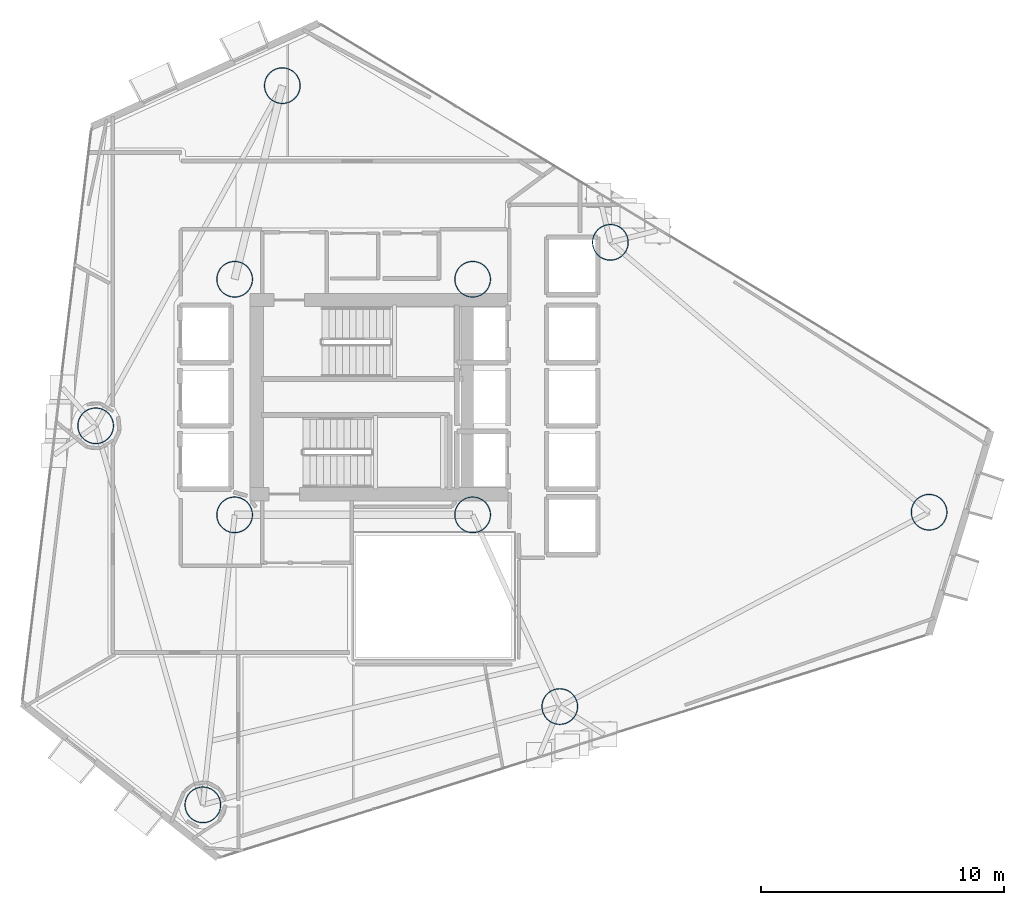
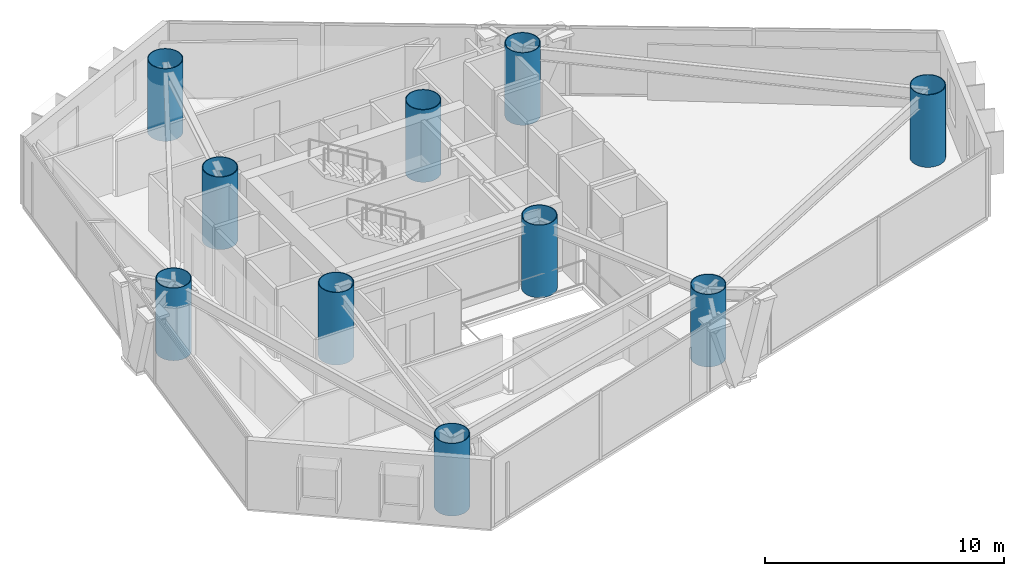
# One storey, part 1 of 18: 10 columns.
"""IFC4 building model written with IfcOpenShell, lengths in metres."""

from ifc_helpers import new_model, si_unit, direction, frame, origin, origin_2d, place, context, subcontext, project, spatial, hollow_circle, extrude, material, material_profile, profile_set, type_object, element, save


model = new_model("IFC4")

# Units and contexts
model_context = context("Model", 3, precision=1e-05, world=origin(), true_north=direction((0.0, 1.0)))
body_context = subcontext(model_context, "Body", "Model", "MODEL_VIEW")
ifc_project = project(units=[si_unit("LENGTHUNIT", "METRE"), si_unit("AREAUNIT", "SQUARE_METRE"), si_unit("VOLUMEUNIT", "CUBIC_METRE"), si_unit("PLANEANGLEUNIT", "RADIAN"), si_unit("MASSUNIT", "GRAM", prefix="KILO")], contexts=[model_context])

# Site, building, storey
site_placement = place(None, origin())
site = spatial("IfcSite", under=ifc_project, at=site_placement, CompositionType="ELEMENT")
building_placement = place(site_placement, origin())
building = spatial("IfcBuilding", under=site, at=building_placement, Name="Qianvela Tower", CompositionType="ELEMENT")
storey_placement = place(building_placement, frame((0.0, 0.0, 116.300048828125)))
storey = spatial("IfcBuildingStorey", under=building, at=storey_placement, Name="L29", CompositionType="ELEMENT", Elevation=116.300048828125)

# Columns
ifc_material = material(Name="Steel Q420GJC", Category="steel")
ifc_material_profile = material_profile(ifc_material, hollow_circle(Radius=0.75, WallThickness=0.035888671875, at=origin_2d()), Name="CFT-1500x36")
ifc_profile_set = profile_set([ifc_material_profile], Name="Steel Q420GJC")
column_type = type_object("IfcColumnType", Name="COL-CFT-1500x36", PredefinedType="COLUMN", material=ifc_profile_set)
for number, where, z_axis, x_axis, name in (
    (1, (28.60009765625, 33.550048828125, 0.0), (0.0, 0.0, 1.0), (1.0, 0.0, 0.0), "L29 Core Corner Mega-Column CC-NW"),
    (2, (28.60009765625, 23.85009765625, 0.0), (0.0, 0.0, 1.0), (1.0, 0.0, 0.0), "L29 Core Corner Mega-Column CC-SW"),
    (3, (38.39990234375, 33.550048828125, 0.0), (0.0, 0.0, 1.0), (1.0, 0.0, 0.0), "L29 Core Corner Mega-Column CC-NE"),
    (4, (38.39990234375, 23.85009765625, 0.0), (0.0, 0.0, 1.0), (1.0, 0.0, 0.0), "L29 Core Corner Mega-Column CC-SE"),
    (5, (57.194091796875, 23.9580078125, 0.0), (0.0, 0.0, 1.0), (1.0, 0.0, 0.0), "L29 Zone Z3 CFT Mega-Column C1"),
    (6, (44.071044921875, 35.070068359375, 0.0), (0.0, 0.0, 1.0), (1.0, 0.0, 0.0), "L29 Zone Z3 CFT Mega-Column C2"),
    (7, (30.56396484375, 41.52099609375, 0.0), (0.0, 0.0, 1.0), (1.0, 0.0, 0.0), "L29 Zone Z3 CFT Mega-Column C3"),
    (8, (22.8779296875, 27.51611328125, 0.0), (0.0, 0.0, 1.0), (1.0, 0.0, 0.0), "L29 Zone Z3 CFT Mega-Column C4"),
    (9, (27.2919921875, 11.908935546875, 0.0), (0.0, 0.0, 1.0), (1.0, 0.0, 0.0), "L29 Zone Z3 CFT Mega-Column C5"),
    (10, (41.988037109375, 15.95703125, 0.0), (0.0, 0.0, 1.0), (1.0, 0.0, 0.0), "L29 Zone Z3 CFT Mega-Column C6"),
):
    element("IfcColumn", number, at=place(storey_placement, frame(where, z_axis=z_axis, x_axis=x_axis)), inside=storey, type_object=column_type, Name=name, PredefinedType="COLUMN", context=body_context, shape_type="SweptSolid", body=[
        extrude(hollow_circle(Radius=0.75, WallThickness=0.035888671875, at=origin_2d()), origin(), (0.0, 0.0, 1.0), 3.699951171875),
    ])

save(model, "model.ifc")
